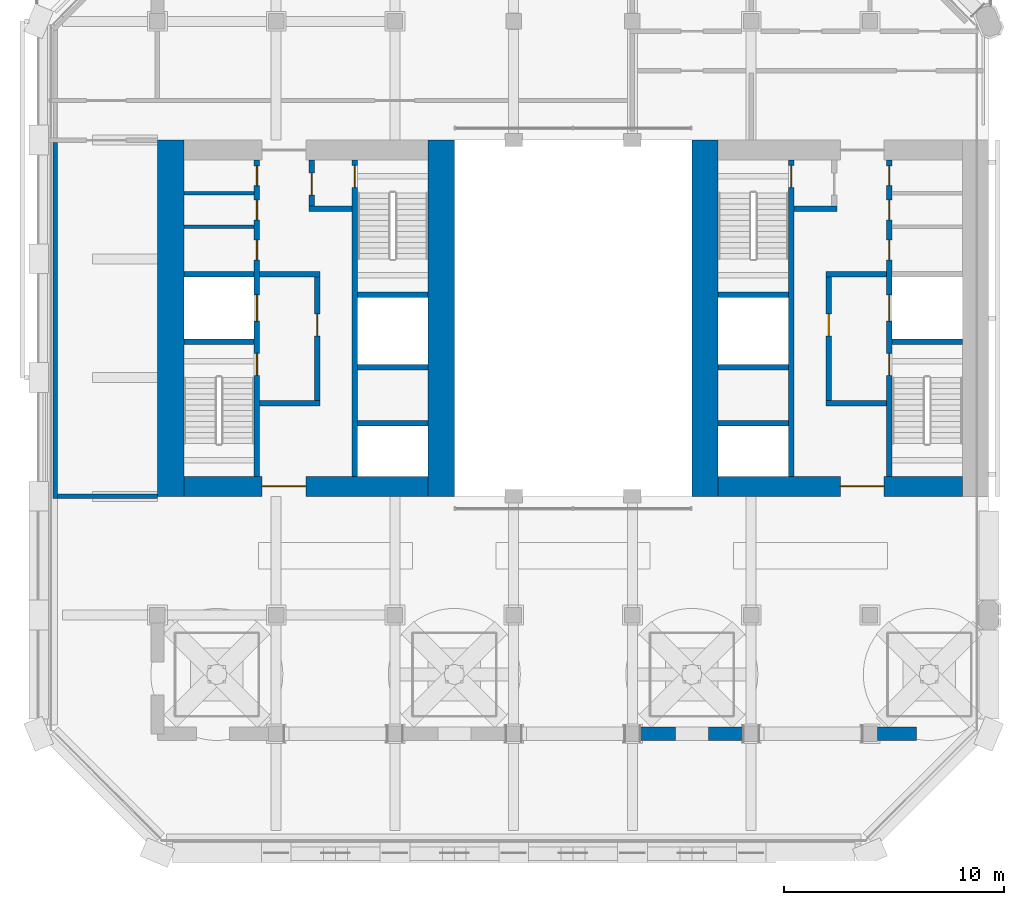
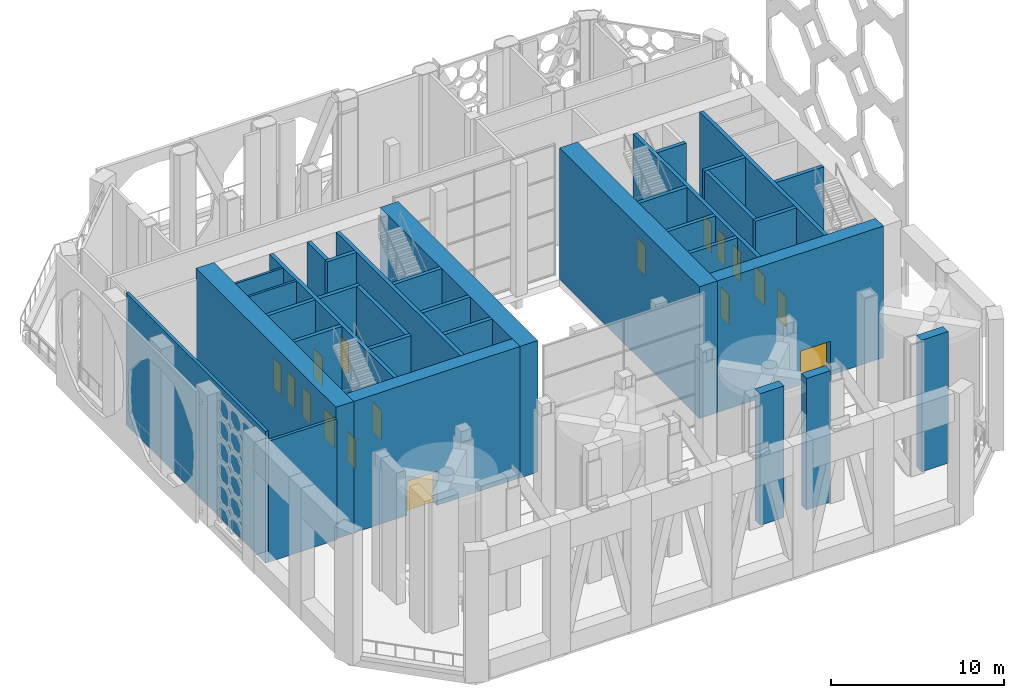
# One storey, part 10 of 28: 34 walls, 17 doors, 17 openings.
"""IFC4 building model written with IfcOpenShell, lengths in metres."""

from ifc_helpers import new_model, si_unit, direction, frame, frame_2d, origin, place, context, subcontext, project, spatial, rectangle, extrude, material, layer, layer_set, type_object, element, fill, save


model = new_model("IFC4")

# Units and contexts
model_context = context("Model", 3, precision=1e-05, world=origin(), true_north=direction((0.0, 1.0)))
body_context = subcontext(model_context, "Body", "Model", "MODEL_VIEW")
ifc_project = project(units=[si_unit("LENGTHUNIT", "METRE"), si_unit("AREAUNIT", "SQUARE_METRE"), si_unit("VOLUMEUNIT", "CUBIC_METRE"), si_unit("PLANEANGLEUNIT", "RADIAN"), si_unit("MASSUNIT", "GRAM", prefix="KILO")], contexts=[model_context])

# Site, building, storey
site_placement = place(None, origin())
site = spatial("IfcSite", under=ifc_project, at=site_placement, CompositionType="ELEMENT")
building_placement = place(site_placement, origin())
building = spatial("IfcBuilding", under=site, at=building_placement, Name="Tabaq Tower and Sports Hall", CompositionType="ELEMENT")
storey_placement = place(building_placement, frame((0.0, 0.0, 233.5)))
storey = spatial("IfcBuildingStorey", under=building, at=storey_placement, Name="L59", CompositionType="ELEMENT", Elevation=233.5)

# Walls
ifc_material_1 = material(Name="Blockwork", Category="masonry")
ifc_layer_1 = layer(ifc_material_1, 0.14990234375)
ifc_layer_set_1 = layer_set([ifc_layer_1], Name="Core room partition 150 Blockwork")
wall_type_1 = type_object("IfcWallType", Name="Core room partition 150 Blockwork", PredefinedType="PARTITIONING", material=ifc_layer_set_1)
for number, where, z_axis, x_axis, name in (
    (1, (6.60009765625, 28.455078125, 0.0), (0.0, 0.0, 1.0), (1.0, 0.0, 0.0), "Core room partition W L59"),
    (2, (6.60009765625, 29.97802734375, 0.0), (0.0, 0.0, 1.0), (1.0, 0.0, 0.0), "Core room partition W L59"),
):
    element("IfcWall", number, at=place(storey_placement, frame(where, z_axis=z_axis, x_axis=x_axis)), inside=storey, type_object=wall_type_1, Name=name, PredefinedType="PARTITIONING", context=body_context, shape_type="SweptSolid", body=[
        extrude(rectangle(XDim=3.199951171875, YDim=0.14990234375, at=frame_2d((1.60009765625, 0.0))), origin(), (0.0, 0.0, 1.0), 9.300048828125),
    ])
ifc_material_2 = material(Name="Concrete C40/50", Category="concrete")
ifc_layer_2 = layer(ifc_material_2, 1.199951171875)
ifc_layer_set_2 = layer_set([ifc_layer_2], Name="Core wall 1200 Concrete C40/50")
wall_type_2 = type_object("IfcWallType", Name="Core wall 1200 Concrete C40/50", PredefinedType="SOLIDWALL", material=ifc_layer_set_2)
for number, where, z_axis, x_axis, name in (
    (3, (6.0, 16.199951171875, 0.0), (0.0, 0.0, 1.0), (0.0, 1.0, 0.0), "Core wall W L59"),
    (4, (18.300048828125, 32.39990234375, 0.0), (0.0, 0.0, 1.0), (0.0, -1.0, 0.0), "Core wall W L59"),
    (5, (30.300048828125, 16.199951171875, 0.0), (0.0, 0.0, 1.0), (0.0, 1.0, 0.0), "Core wall E L59"),
):
    element("IfcWall", number, at=place(storey_placement, frame(where, z_axis=z_axis, x_axis=x_axis)), inside=storey, type_object=wall_type_2, Name=name, PredefinedType="SOLIDWALL", context=body_context, shape_type="SweptSolid", body=[
        extrude(rectangle(XDim=16.199951171875, YDim=1.199951171875, at=frame_2d((8.10009765625, 0.0))), origin(), (0.0, 0.0, 1.0), 9.300048828125),
    ])

# Wall, opening, door
ifc_material_3 = material(Name="Concrete C40/50", Category="concrete")
ifc_layer_3 = layer(ifc_material_3, 0.89990234375)
ifc_layer_set_3 = layer_set([ifc_layer_3], Name="Core wall 900 Concrete C40/50")
wall_type_3 = type_object("IfcWallType", Name="Core wall 900 Concrete C40/50", PredefinedType="SOLIDWALL", material=ifc_layer_set_3)
wall_1_placement = place(storey_placement, frame((17.699951171875, 16.64990234375, 0.0), z_axis=(0.0, 0.0, 1.0), x_axis=(-1.0, 0.0, 0.0)))
wall_1 = element("IfcWall", 6, at=wall_1_placement, inside=storey, type_object=wall_type_3, Name="Core wall W L59", PredefinedType="SOLIDWALL", context=body_context, shape_type="SweptSolid", body=[
    extrude(rectangle(XDim=11.099853515625, YDim=0.89990234375, at=frame_2d((5.5498046875, 0.0))), origin(), (0.0, 0.0, 1.0), 9.300048828125),
])
opening_1_placement = place(wall_1_placement, frame((5.550048828125, 0.0, 0.0)))
opening_1 = element("IfcOpeningElement", 7, at=opening_1_placement, cuts=wall_1, Name="Opening PD-WL59-01", PredefinedType="OPENING", context=body_context, shape_type="SweptSolid", body=[
    extrude(rectangle(XDim=2.0, YDim=2.39990234375, at=frame_2d((1.0, 1.199951171875))), frame((0.0, 0.449951171875, 0.0), z_axis=(0.0, -1.0, 0.0), x_axis=(1.0, 0.0, 0.0)), (0.0, 0.0, 1.0), 0.89990234375),
])
ifc_material_4 = material(Name="Steel fire door", Category="steel")
door_type_1 = type_object("IfcDoorType", Name="Core entrance door 2000", OperationType="DOUBLE_DOOR_SINGLE_SWING", PredefinedType="DOOR", material=ifc_material_4)
door_1_placement = place(opening_1_placement, origin())
door_1 = element("IfcDoor", 8, at=door_1_placement, inside=storey, type_object=door_type_1, Name="Core entrance south W L59", OperationType="DOUBLE_DOOR_SINGLE_SWING", OverallHeight=2.39990234375, OverallWidth=2.0, PredefinedType="DOOR", context=body_context, shape_type="SweptSolid", body=[
    extrude(rectangle(XDim=2.0, YDim=2.39990234375, at=frame_2d((1.0, 1.199951171875))), frame((0.0, 0.02490234375, 0.0), z_axis=(0.0, -1.0, 0.0), x_axis=(1.0, 0.0, 0.0)), (0.0, 0.0, 1.0), 0.050048828125),
])
fill(opening_1, door_1)

wall_2_placement = place(storey_placement, frame((42.0, 16.64990234375, 0.0), z_axis=(0.0, 0.0, 1.0), x_axis=(-1.0, 0.0, 0.0)))
wall_2 = element("IfcWall", 9, at=wall_2_placement, inside=storey, type_object=wall_type_3, Name="Core wall E L59", PredefinedType="SOLIDWALL", context=body_context, shape_type="SweptSolid", body=[
    extrude(rectangle(XDim=11.10009765625, YDim=0.89990234375, at=frame_2d((5.550048828125, 0.0))), origin(), (0.0, 0.0, 1.0), 9.300048828125),
])
opening_2_placement = place(wall_2_placement, frame((3.550048828125, 0.0, 0.0)))
opening_2 = element("IfcOpeningElement", 10, at=opening_2_placement, cuts=wall_2, Name="Opening PD-EL59-01", PredefinedType="OPENING", context=body_context, shape_type="SweptSolid", body=[
    extrude(rectangle(XDim=2.0, YDim=2.39990234375, at=frame_2d((1.0, 1.199951171875))), frame((0.0, 0.449951171875, 0.0), z_axis=(0.0, -1.0, 0.0), x_axis=(1.0, 0.0, 0.0)), (0.0, 0.0, 1.0), 0.89990234375),
])
door_2_placement = place(opening_2_placement, origin())
door_2 = element("IfcDoor", 11, at=door_2_placement, inside=storey, type_object=door_type_1, Name="Core entrance south E L59", OperationType="DOUBLE_DOOR_SINGLE_SWING", OverallHeight=2.39990234375, OverallWidth=2.0, PredefinedType="DOOR", context=body_context, shape_type="SweptSolid", body=[
    extrude(rectangle(XDim=2.0, YDim=2.39990234375, at=frame_2d((1.0, 1.199951171875))), frame((0.0, 0.02490234375, 0.0), z_axis=(0.0, -1.0, 0.0), x_axis=(1.0, 0.0, 0.0)), (0.0, 0.0, 1.0), 0.050048828125),
])
fill(opening_2, door_2)

# Walls
ifc_material_5 = material(Name="Blockwork", Category="masonry")
ifc_layer_4 = layer(ifc_material_5, 0.199951171875)
ifc_layer_set_4 = layer_set([ifc_layer_4], Name="Fire compartment wall 200 Blockwork")
wall_type_4 = type_object("IfcWallType", Name="Fire compartment wall 200 Blockwork", PredefinedType="PARTITIONING", material=ifc_layer_set_4)
wall_3_placement = place(storey_placement, frame((0.75, 32.300048828125, 0.0), z_axis=(0.0, 0.0, 1.0), x_axis=(0.0, -1.0, 0.0)))
element("IfcWall", 12, at=wall_3_placement, inside=storey, type_object=wall_type_4, Name="Compartment wall L59", PredefinedType="PARTITIONING", context=body_context, shape_type="SweptSolid", body=[
    extrude(rectangle(XDim=16.199951171875, YDim=0.199951171875, at=frame_2d((8.10009765625, 0.0))), origin(), (0.0, 0.0, 1.0), 9.300048828125),
])
wall_4_placement = place(storey_placement, frame((0.85009765625, 16.199951171875, 0.0), z_axis=(0.0, 0.0, 1.0), x_axis=(1.0, 0.0, 0.0)))
element("IfcWall", 13, at=wall_4_placement, inside=storey, type_object=wall_type_4, Name="Compartment wall L59", PredefinedType="PARTITIONING", context=body_context, shape_type="SweptSolid", body=[
    extrude(rectangle(XDim=4.5498046875, YDim=0.199951171875, at=frame_2d((2.27490234375, 0.0))), origin(), (0.0, 0.0, 1.0), 8.550048828125),
])
ifc_material_6 = material(Name="Concrete C40/50", Category="concrete")
ifc_layer_5 = layer(ifc_material_6, 0.60009765625)
ifc_layer_set_5 = layer_set([ifc_layer_5], Name="RC TRANSFER WALL 600 C40/50")
wall_type_5 = type_object("IfcWallType", Name="RC TRANSFER WALL 600 C40/50", PredefinedType="SHEAR", material=ifc_layer_set_5)
wall_5_placement = place(storey_placement, frame((27.35009765625, 5.39990234375, 0.0), z_axis=(0.0, 0.0, 1.0), x_axis=(1.0, 0.0, 0.0)))
element("IfcWall", 14, at=wall_5_placement, inside=storey, type_object=wall_type_5, Name="Transfer Wall L59 South 9", PredefinedType="SHEAR", context=body_context, shape_type="SweptSolid", body=[
    extrude(rectangle(XDim=1.599853515625, YDim=0.60009765625, at=frame_2d((0.7998046875, 0.0))), origin(), (0.0, 0.0, 1.0), 9.300048828125),
])
wall_6_placement = place(storey_placement, frame((30.449951171875, 5.39990234375, 0.0), z_axis=(0.0, 0.0, 1.0), x_axis=(1.0, 0.0, 0.0)))
element("IfcWall", 15, at=wall_6_placement, inside=storey, type_object=wall_type_5, Name="Transfer Wall L59 South 10", PredefinedType="SHEAR", context=body_context, shape_type="SweptSolid", body=[
    extrude(rectangle(XDim=1.60009765625, YDim=0.60009765625, at=frame_2d((0.800048828125, 0.0))), origin(), (0.0, 0.0, 1.0), 9.300048828125),
])
wall_7_placement = place(storey_placement, frame((38.14990234375, 5.39990234375, 0.0), z_axis=(0.0, 0.0, 1.0), x_axis=(1.0, 0.0, 0.0)))
element("IfcWall", 16, at=wall_7_placement, inside=storey, type_object=wall_type_5, Name="Transfer Wall L59 South 11", PredefinedType="SHEAR", context=body_context, shape_type="SweptSolid", body=[
    extrude(rectangle(XDim=1.775146484375, YDim=0.60009765625, at=frame_2d((0.8876953125, 0.0))), origin(), (0.0, 0.0, 1.0), 9.300048828125),
])

# Wall, openings, doors
ifc_material_7 = material(Name="Concrete C40/50", Category="concrete")
ifc_layer_6 = layer(ifc_material_7, 0.25)
ifc_layer_set_6 = layer_set([ifc_layer_6], Name="Shaft and stair wall 250 Concrete C40/50")
wall_type_6 = type_object("IfcWallType", Name="Shaft and stair wall 250 Concrete C40/50", PredefinedType="SOLIDWALL", material=ifc_layer_set_6)
wall_8_placement = place(storey_placement, frame((9.925048828125, 17.10009765625, 0.0), z_axis=(0.0, 0.0, 1.0), x_axis=(0.0, 1.0, 0.0)))
wall_8 = element("IfcWall", 17, at=wall_8_placement, inside=storey, type_object=wall_type_6, Name="Shaft wall W L59", PredefinedType="SOLIDWALL", context=body_context, shape_type="SweptSolid", body=[
    extrude(rectangle(XDim=14.39990234375, YDim=0.25, at=frame_2d((7.199951171875, 0.0))), origin(), (0.0, 0.0, 1.0), 9.300048828125),
])
opening_3_placement = place(wall_8_placement, frame((4.60009765625, 0.0, 0.0)))
opening_3 = element("IfcOpeningElement", 18, at=opening_3_placement, cuts=wall_8, Name="Opening SD-WL59-03", PredefinedType="OPENING", context=body_context, shape_type="SweptSolid", body=[
    extrude(rectangle(XDim=1.0, YDim=2.10009765625, at=frame_2d((0.5, 1.050048828125))), frame((0.0, 0.125, 0.0), z_axis=(0.0, -1.0, 0.0), x_axis=(1.0, 0.0, 0.0)), (0.0, 0.0, 1.0), 0.25),
])
opening_4_placement = place(wall_8_placement, frame((7.0625, 0.0, 0.0)))
opening_4 = element("IfcOpeningElement", 19, at=opening_4_placement, cuts=wall_8, Name="Opening LD-FF1-L59", PredefinedType="OPENING", context=body_context, shape_type="SweptSolid", body=[
    extrude(rectangle(XDim=1.199951171875, YDim=2.10009765625, at=frame_2d((0.60009765625, 1.050048828125))), frame((0.0, 0.125, 0.0), z_axis=(0.0, -1.0, 0.0), x_axis=(1.0, 0.0, 0.0)), (0.0, 0.0, 1.0), 0.25),
])
opening_5_placement = place(wall_8_placement, frame((9.8525390625, 0.0, 0.0)))
opening_5 = element("IfcOpeningElement", 20, at=opening_5_placement, cuts=wall_8, Name="Opening RD-WL59-08", PredefinedType="OPENING", context=body_context, shape_type="SweptSolid", body=[
    extrude(rectangle(XDim=0.89990234375, YDim=2.10009765625, at=frame_2d((0.449951171875, 1.050048828125))), frame((0.0, 0.125, 0.0), z_axis=(0.0, -1.0, 0.0), x_axis=(1.0, 0.0, 0.0)), (0.0, 0.0, 1.0), 0.25),
])
opening_6_placement = place(wall_8_placement, frame((11.66650390625, 0.0, 0.0)))
opening_6 = element("IfcOpeningElement", 21, at=opening_6_placement, cuts=wall_8, Name="Opening RD-WL59-09", PredefinedType="OPENING", context=body_context, shape_type="SweptSolid", body=[
    extrude(rectangle(XDim=0.89990234375, YDim=2.10009765625, at=frame_2d((0.449951171875, 1.050048828125))), frame((0.0, 0.125, 0.0), z_axis=(0.0, -1.0, 0.0), x_axis=(1.0, 0.0, 0.0)), (0.0, 0.0, 1.0), 0.25),
])
opening_7_placement = place(wall_8_placement, frame((13.2265625, 0.0, 0.0)))
opening_7 = element("IfcOpeningElement", 22, at=opening_7_placement, cuts=wall_8, Name="Opening RD-WL59-10", PredefinedType="OPENING", context=body_context, shape_type="SweptSolid", body=[
    extrude(rectangle(XDim=0.89990234375, YDim=2.10009765625, at=frame_2d((0.449951171875, 1.050048828125))), frame((0.0, 0.125, 0.0), z_axis=(0.0, -1.0, 0.0), x_axis=(1.0, 0.0, 0.0)), (0.0, 0.0, 1.0), 0.25),
])
ifc_material_8 = material(Name="Steel fire door", Category="steel")
door_type_2 = type_object("IfcDoorType", Name="Core room door 900", OperationType="SINGLE_SWING_LEFT", PredefinedType="DOOR", material=ifc_material_8)
door_3_placement = place(opening_5_placement, origin())
door_3 = element("IfcDoor", 23, at=door_3_placement, inside=storey, type_object=door_type_2, Name="Door Refuge Floor Plant Room W L59", OperationType="SINGLE_SWING_LEFT", OverallHeight=2.10009765625, OverallWidth=0.89990234375, PredefinedType="DOOR", context=body_context, shape_type="SweptSolid", body=[
    extrude(rectangle(XDim=0.89990234375, YDim=2.10009765625, at=frame_2d((0.449951171875, 1.050048828125))), frame((0.0, 0.02490234375, 0.0), z_axis=(0.0, -1.0, 0.0), x_axis=(1.0, 0.0, 0.0)), (0.0, 0.0, 1.0), 0.050048828125),
])
fill(opening_5, door_3)
door_4_placement = place(opening_6_placement, origin())
door_4 = element("IfcDoor", 24, at=door_4_placement, inside=storey, type_object=door_type_2, Name="Door Electrical Room W L59", OperationType="SINGLE_SWING_LEFT", OverallHeight=2.10009765625, OverallWidth=0.89990234375, PredefinedType="DOOR", context=body_context, shape_type="SweptSolid", body=[
    extrude(rectangle(XDim=0.89990234375, YDim=2.10009765625, at=frame_2d((0.449951171875, 1.050048828125))), frame((0.0, 0.02490234375, 0.0), z_axis=(0.0, -1.0, 0.0), x_axis=(1.0, 0.0, 0.0)), (0.0, 0.0, 1.0), 0.050048828125),
])
fill(opening_6, door_4)
door_5_placement = place(opening_7_placement, origin())
door_5 = element("IfcDoor", 25, at=door_5_placement, inside=storey, type_object=door_type_2, Name="Door Smoke Extract Riser Room W L59", OperationType="SINGLE_SWING_LEFT", OverallHeight=2.10009765625, OverallWidth=0.89990234375, PredefinedType="DOOR", context=body_context, shape_type="SweptSolid", body=[
    extrude(rectangle(XDim=0.89990234375, YDim=2.10009765625, at=frame_2d((0.449951171875, 1.050048828125))), frame((0.0, 0.02490234375, 0.0), z_axis=(0.0, -1.0, 0.0), x_axis=(1.0, 0.0, 0.0)), (0.0, 0.0, 1.0), 0.050048828125),
])
fill(opening_7, door_5)
ifc_material_9 = material(Name="Stainless steel", Category="steel")
door_type_3 = type_object("IfcDoorType", Name="Lift landing door 1200", OperationType="DOUBLE_DOOR_SLIDING", PredefinedType="DOOR", material=ifc_material_9)
door_6_placement = place(opening_4_placement, origin())
door_6 = element("IfcDoor", 26, at=door_6_placement, inside=storey, type_object=door_type_3, Name="Lift landing door FF1 W L59", OperationType="DOUBLE_DOOR_SLIDING", OverallHeight=2.10009765625, OverallWidth=1.199951171875, PredefinedType="DOOR", context=body_context, shape_type="SweptSolid", body=[
    extrude(rectangle(XDim=1.199951171875, YDim=2.10009765625, at=frame_2d((0.60009765625, 1.050048828125))), frame((0.0, 0.02490234375, 0.0), z_axis=(0.0, -1.0, 0.0), x_axis=(1.0, 0.0, 0.0)), (0.0, 0.0, 1.0), 0.050048828125),
])
fill(opening_4, door_6)
ifc_material_10 = material(Name="Steel fire door", Category="steel")
door_type_4 = type_object("IfcDoorType", Name="Stair door 1000", OperationType="SINGLE_SWING_LEFT", PredefinedType="DOOR", material=ifc_material_10)
door_7_placement = place(opening_3_placement, origin())
door_7 = element("IfcDoor", 27, at=door_7_placement, inside=storey, type_object=door_type_4, Name="Stair door ST1 W L59", OperationType="SINGLE_SWING_LEFT", OverallHeight=2.10009765625, OverallWidth=1.0, PredefinedType="DOOR", context=body_context, shape_type="SweptSolid", body=[
    extrude(rectangle(XDim=1.0, YDim=2.10009765625, at=frame_2d((0.5, 1.050048828125))), frame((0.0, 0.02490234375, 0.0), z_axis=(0.0, -1.0, 0.0), x_axis=(1.0, 0.0, 0.0)), (0.0, 0.0, 1.0), 0.050048828125),
])
fill(opening_3, door_7)

# Wall, opening, door
wall_9_placement = place(storey_placement, frame((14.375, 17.10009765625, 0.0), z_axis=(0.0, 0.0, 1.0), x_axis=(0.0, 1.0, 0.0)))
wall_9 = element("IfcWall", 28, at=wall_9_placement, inside=storey, type_object=wall_type_6, Name="Shaft wall W L59", PredefinedType="SOLIDWALL", context=body_context, shape_type="SweptSolid", body=[
    extrude(rectangle(XDim=14.39990234375, YDim=0.25, at=frame_2d((7.199951171875, 0.0))), origin(), (0.0, 0.0, 1.0), 9.300048828125),
])
opening_8_placement = place(wall_9_placement, frame((13.14990234375, 0.0, 0.0)))
opening_8 = element("IfcOpeningElement", 29, at=opening_8_placement, cuts=wall_9, Name="Opening SD-WL59-05", PredefinedType="OPENING", context=body_context, shape_type="SweptSolid", body=[
    extrude(rectangle(XDim=1.0, YDim=2.10009765625, at=frame_2d((0.5, 1.050048828125))), frame((0.0, 0.125, 0.0), z_axis=(0.0, -1.0, 0.0), x_axis=(1.0, 0.0, 0.0)), (0.0, 0.0, 1.0), 0.25),
])
door_8_placement = place(opening_8_placement, origin())
door_8 = element("IfcDoor", 30, at=door_8_placement, inside=storey, type_object=door_type_4, Name="Stair door ST2 W L59", OperationType="SINGLE_SWING_LEFT", OverallHeight=2.10009765625, OverallWidth=1.0, PredefinedType="DOOR", context=body_context, shape_type="SweptSolid", body=[
    extrude(rectangle(XDim=1.0, YDim=2.10009765625, at=frame_2d((0.5, 1.050048828125))), frame((0.0, 0.02490234375, 0.0), z_axis=(0.0, -1.0, 0.0), x_axis=(1.0, 0.0, 0.0)), (0.0, 0.0, 1.0), 0.050048828125),
])
fill(opening_8, door_8)

# Walls
for number, where, z_axis, x_axis, name in (
    (31, (6.60009765625, 23.22509765625, 0.0), (0.0, 0.0, 1.0), (1.0, 0.0, 0.0), "Stair enclosure wall W L59"),
    (32, (14.5, 25.375, 0.0), (0.0, 0.0, 1.0), (1.0, 0.0, 0.0), "Stair enclosure wall W L59"),
    (33, (14.5, 22.074951171875, 0.0), (0.0, 0.0, 1.0), (1.0, 0.0, 0.0), "Shaft wall W L59"),
    (34, (6.60009765625, 26.300048828125, 0.0), (0.0, 0.0, 1.0), (1.0, 0.0, 0.0), "Shaft wall W L59"),
):
    element("IfcWall", number, at=place(storey_placement, frame(where, z_axis=z_axis, x_axis=x_axis)), inside=storey, type_object=wall_type_6, Name=name, PredefinedType="SOLIDWALL", context=body_context, shape_type="SweptSolid", body=[
        extrude(rectangle(XDim=3.199951171875, YDim=0.25, at=frame_2d((1.60009765625, 0.0))), origin(), (0.0, 0.0, 1.0), 9.300048828125),
    ])
for number, where, z_axis, x_axis, name in (
    (35, (10.050048828125, 26.300048828125, 0.0), (0.0, 0.0, 1.0), (1.0, 0.0, 0.0), "Fire-fighting lobby wall W L59"),
    (36, (10.050048828125, 20.425048828125, 0.0), (0.0, 0.0, 1.0), (1.0, 0.0, 0.0), "Fire-fighting lobby wall W L59"),
):
    element("IfcWall", number, at=place(storey_placement, frame(where, z_axis=z_axis, x_axis=x_axis)), inside=storey, type_object=wall_type_6, Name=name, PredefinedType="SOLIDWALL", context=body_context, shape_type="SweptSolid", body=[
        extrude(rectangle(XDim=2.75, YDim=0.25, at=frame_2d((1.375, 0.0))), origin(), (0.0, 0.0, 1.0), 9.300048828125),
    ])

# Wall, opening, door
wall_10_placement = place(storey_placement, frame((12.425048828125, 29.39990234375, 0.0), z_axis=(0.0, 0.0, 1.0), x_axis=(0.0, 1.0, 0.0)))
wall_10 = element("IfcWall", 37, at=wall_10_placement, inside=storey, type_object=wall_type_6, Name="Fire-fighting lobby wall W L59", PredefinedType="SOLIDWALL", context=body_context, shape_type="SweptSolid", body=[
    extrude(rectangle(XDim=2.10009765625, YDim=0.25, at=frame_2d((1.050048828125, 0.0))), origin(), (0.0, 0.0, 1.0), 9.300048828125),
])
opening_9_placement = place(wall_10_placement, frame((0.5, 0.0, 0.0)))
opening_9 = element("IfcOpeningElement", 38, at=opening_9_placement, cuts=wall_10, Name="Opening FD-WL59-06", PredefinedType="OPENING", context=body_context, shape_type="SweptSolid", body=[
    extrude(rectangle(XDim=1.0, YDim=2.10009765625, at=frame_2d((0.5, 1.050048828125))), frame((0.0, 0.125, 0.0), z_axis=(0.0, -1.0, 0.0), x_axis=(1.0, 0.0, 0.0)), (0.0, 0.0, 1.0), 0.25),
])
ifc_material_11 = material(Name="Steel fire door", Category="steel")
door_type_5 = type_object("IfcDoorType", Name="Fire-fighting lobby door 1000", OperationType="SINGLE_SWING_LEFT", PredefinedType="DOOR", material=ifc_material_11)
door_9_placement = place(opening_9_placement, origin())
door_9 = element("IfcDoor", 39, at=door_9_placement, inside=storey, type_object=door_type_5, Name="Stair lobby door W L59", OperationType="SINGLE_SWING_LEFT", OverallHeight=2.10009765625, OverallWidth=1.0, PredefinedType="DOOR", context=body_context, shape_type="SweptSolid", body=[
    extrude(rectangle(XDim=1.0, YDim=2.10009765625, at=frame_2d((0.5, 1.050048828125))), frame((0.0, 0.02490234375, 0.0), z_axis=(0.0, -1.0, 0.0), x_axis=(1.0, 0.0, 0.0)), (0.0, 0.0, 1.0), 0.050048828125),
])
fill(opening_9, door_9)

# Wall
wall_11_placement = place(storey_placement, frame((12.300048828125, 29.27490234375, 0.0), z_axis=(0.0, 0.0, 1.0), x_axis=(1.0, 0.0, 0.0)))
element("IfcWall", 40, at=wall_11_placement, inside=storey, type_object=wall_type_6, Name="Fire-fighting lobby wall W L59", PredefinedType="SOLIDWALL", context=body_context, shape_type="SweptSolid", body=[
    extrude(rectangle(XDim=1.949951171875, YDim=0.25, at=frame_2d((0.97509765625, 0.0))), origin(), (0.0, 0.0, 1.0), 9.300048828125),
])

# Wall, opening, door
wall_12_placement = place(storey_placement, frame((12.675048828125, 20.550048828125, 0.0), z_axis=(0.0, 0.0, 1.0), x_axis=(0.0, 1.0, 0.0)))
wall_12 = element("IfcWall", 41, at=wall_12_placement, inside=storey, type_object=wall_type_6, Name="Fire-fighting lobby wall W L59", PredefinedType="SOLIDWALL", context=body_context, shape_type="SweptSolid", body=[
    extrude(rectangle(XDim=5.625, YDim=0.25, at=frame_2d((2.8125, 0.0))), origin(), (0.0, 0.0, 1.0), 9.300048828125),
])
opening_10_placement = place(wall_12_placement, frame((2.949951171875, 0.0, 0.0)))
opening_10 = element("IfcOpeningElement", 42, at=opening_10_placement, cuts=wall_12, Name="Opening FD-WL59-04", PredefinedType="OPENING", context=body_context, shape_type="SweptSolid", body=[
    extrude(rectangle(XDim=1.0, YDim=2.10009765625, at=frame_2d((0.5, 1.050048828125))), frame((0.0, 0.125, 0.0), z_axis=(0.0, -1.0, 0.0), x_axis=(1.0, 0.0, 0.0)), (0.0, 0.0, 1.0), 0.25),
])
door_10_placement = place(opening_10_placement, origin())
door_10 = element("IfcDoor", 43, at=door_10_placement, inside=storey, type_object=door_type_5, Name="Fire-fighting lobby door W L59", OperationType="SINGLE_SWING_LEFT", OverallHeight=2.10009765625, OverallWidth=1.0, PredefinedType="DOOR", context=body_context, shape_type="SweptSolid", body=[
    extrude(rectangle(XDim=1.0, YDim=2.10009765625, at=frame_2d((0.5, 1.050048828125))), frame((0.0, 0.02490234375, 0.0), z_axis=(0.0, -1.0, 0.0), x_axis=(1.0, 0.0, 0.0)), (0.0, 0.0, 1.0), 0.050048828125),
])
fill(opening_10, door_10)

# Wall
wall_13_placement = place(storey_placement, frame((14.5, 19.52490234375, 0.0), z_axis=(0.0, 0.0, 1.0), x_axis=(1.0, 0.0, 0.0)))
element("IfcWall", 44, at=wall_13_placement, inside=storey, type_object=wall_type_6, Name="Shaft wall W L59", PredefinedType="SOLIDWALL", context=body_context, shape_type="SweptSolid", body=[
    extrude(rectangle(XDim=3.199951171875, YDim=0.25, at=frame_2d((1.60009765625, 0.0))), origin(), (0.0, 0.0, 1.0), 9.300048828125),
])

# Wall, openings, doors
wall_14_placement = place(storey_placement, frame((38.675048828125, 17.10009765625, 0.0), z_axis=(0.0, 0.0, 1.0), x_axis=(0.0, 1.0, 0.0)))
wall_14 = element("IfcWall", 45, at=wall_14_placement, inside=storey, type_object=wall_type_6, Name="Shaft wall E L59", PredefinedType="SOLIDWALL", context=body_context, shape_type="SweptSolid", body=[
    extrude(rectangle(XDim=14.39990234375, YDim=0.25, at=frame_2d((7.199951171875, 0.0))), origin(), (0.0, 0.0, 1.0), 9.300048828125),
])
opening_11_placement = place(wall_14_placement, frame((4.60009765625, 0.0, 0.0)))
opening_11 = element("IfcOpeningElement", 46, at=opening_11_placement, cuts=wall_14, Name="Opening SD-EL59-03", PredefinedType="OPENING", context=body_context, shape_type="SweptSolid", body=[
    extrude(rectangle(XDim=1.0, YDim=2.10009765625, at=frame_2d((0.5, 1.050048828125))), frame((0.0, 0.125, 0.0), z_axis=(0.0, -1.0, 0.0), x_axis=(1.0, 0.0, 0.0)), (0.0, 0.0, 1.0), 0.25),
])
opening_12_placement = place(wall_14_placement, frame((7.0625, 0.0, 0.0)))
opening_12 = element("IfcOpeningElement", 47, at=opening_12_placement, cuts=wall_14, Name="Opening LD-FF2-L59", PredefinedType="OPENING", context=body_context, shape_type="SweptSolid", body=[
    extrude(rectangle(XDim=1.199951171875, YDim=2.10009765625, at=frame_2d((0.60009765625, 1.050048828125))), frame((0.0, 0.125, 0.0), z_axis=(0.0, -1.0, 0.0), x_axis=(1.0, 0.0, 0.0)), (0.0, 0.0, 1.0), 0.25),
])
opening_13_placement = place(wall_14_placement, frame((9.8525390625, 0.0, 0.0)))
opening_13 = element("IfcOpeningElement", 48, at=opening_13_placement, cuts=wall_14, Name="Opening RD-EL59-08", PredefinedType="OPENING", context=body_context, shape_type="SweptSolid", body=[
    extrude(rectangle(XDim=0.89990234375, YDim=2.10009765625, at=frame_2d((0.449951171875, 1.050048828125))), frame((0.0, 0.125, 0.0), z_axis=(0.0, -1.0, 0.0), x_axis=(1.0, 0.0, 0.0)), (0.0, 0.0, 1.0), 0.25),
])
opening_14_placement = place(wall_14_placement, frame((11.66650390625, 0.0, 0.0)))
opening_14 = element("IfcOpeningElement", 49, at=opening_14_placement, cuts=wall_14, Name="Opening RD-EL59-09", PredefinedType="OPENING", context=body_context, shape_type="SweptSolid", body=[
    extrude(rectangle(XDim=0.89990234375, YDim=2.10009765625, at=frame_2d((0.449951171875, 1.050048828125))), frame((0.0, 0.125, 0.0), z_axis=(0.0, -1.0, 0.0), x_axis=(1.0, 0.0, 0.0)), (0.0, 0.0, 1.0), 0.25),
])
opening_15_placement = place(wall_14_placement, frame((13.2265625, 0.0, 0.0)))
opening_15 = element("IfcOpeningElement", 50, at=opening_15_placement, cuts=wall_14, Name="Opening RD-EL59-10", PredefinedType="OPENING", context=body_context, shape_type="SweptSolid", body=[
    extrude(rectangle(XDim=0.89990234375, YDim=2.10009765625, at=frame_2d((0.449951171875, 1.050048828125))), frame((0.0, 0.125, 0.0), z_axis=(0.0, -1.0, 0.0), x_axis=(1.0, 0.0, 0.0)), (0.0, 0.0, 1.0), 0.25),
])
door_11_placement = place(opening_13_placement, origin())
door_11 = element("IfcDoor", 51, at=door_11_placement, inside=storey, type_object=door_type_2, Name="Door Refuge Floor Plant Room E L59", OperationType="SINGLE_SWING_LEFT", OverallHeight=2.10009765625, OverallWidth=0.89990234375, PredefinedType="DOOR", context=body_context, shape_type="SweptSolid", body=[
    extrude(rectangle(XDim=0.89990234375, YDim=2.10009765625, at=frame_2d((0.449951171875, 1.050048828125))), frame((0.0, 0.02490234375, 0.0), z_axis=(0.0, -1.0, 0.0), x_axis=(1.0, 0.0, 0.0)), (0.0, 0.0, 1.0), 0.050048828125),
])
fill(opening_13, door_11)
door_12_placement = place(opening_14_placement, origin())
door_12 = element("IfcDoor", 52, at=door_12_placement, inside=storey, type_object=door_type_2, Name="Door Electrical Room E L59", OperationType="SINGLE_SWING_LEFT", OverallHeight=2.10009765625, OverallWidth=0.89990234375, PredefinedType="DOOR", context=body_context, shape_type="SweptSolid", body=[
    extrude(rectangle(XDim=0.89990234375, YDim=2.10009765625, at=frame_2d((0.449951171875, 1.050048828125))), frame((0.0, 0.02490234375, 0.0), z_axis=(0.0, -1.0, 0.0), x_axis=(1.0, 0.0, 0.0)), (0.0, 0.0, 1.0), 0.050048828125),
])
fill(opening_14, door_12)
door_13_placement = place(opening_15_placement, origin())
door_13 = element("IfcDoor", 53, at=door_13_placement, inside=storey, type_object=door_type_2, Name="Door Smoke Extract Riser Room E L59", OperationType="SINGLE_SWING_LEFT", OverallHeight=2.10009765625, OverallWidth=0.89990234375, PredefinedType="DOOR", context=body_context, shape_type="SweptSolid", body=[
    extrude(rectangle(XDim=0.89990234375, YDim=2.10009765625, at=frame_2d((0.449951171875, 1.050048828125))), frame((0.0, 0.02490234375, 0.0), z_axis=(0.0, -1.0, 0.0), x_axis=(1.0, 0.0, 0.0)), (0.0, 0.0, 1.0), 0.050048828125),
])
fill(opening_15, door_13)
door_14_placement = place(opening_12_placement, origin())
door_14 = element("IfcDoor", 54, at=door_14_placement, inside=storey, type_object=door_type_3, Name="Lift landing door FF2 E L59", OperationType="DOUBLE_DOOR_SLIDING", OverallHeight=2.10009765625, OverallWidth=1.199951171875, PredefinedType="DOOR", context=body_context, shape_type="SweptSolid", body=[
    extrude(rectangle(XDim=1.199951171875, YDim=2.10009765625, at=frame_2d((0.60009765625, 1.050048828125))), frame((0.0, 0.02490234375, 0.0), z_axis=(0.0, -1.0, 0.0), x_axis=(1.0, 0.0, 0.0)), (0.0, 0.0, 1.0), 0.050048828125),
])
fill(opening_12, door_14)
door_15_placement = place(opening_11_placement, origin())
door_15 = element("IfcDoor", 55, at=door_15_placement, inside=storey, type_object=door_type_4, Name="Stair door ST3 E L59", OperationType="SINGLE_SWING_LEFT", OverallHeight=2.10009765625, OverallWidth=1.0, PredefinedType="DOOR", context=body_context, shape_type="SweptSolid", body=[
    extrude(rectangle(XDim=1.0, YDim=2.10009765625, at=frame_2d((0.5, 1.050048828125))), frame((0.0, 0.02490234375, 0.0), z_axis=(0.0, -1.0, 0.0), x_axis=(1.0, 0.0, 0.0)), (0.0, 0.0, 1.0), 0.050048828125),
])
fill(opening_11, door_15)

# Wall, opening, door
wall_15_placement = place(storey_placement, frame((34.22509765625, 17.10009765625, 0.0), z_axis=(0.0, 0.0, 1.0), x_axis=(0.0, 1.0, 0.0)))
wall_15 = element("IfcWall", 56, at=wall_15_placement, inside=storey, type_object=wall_type_6, Name="Shaft wall E L59", PredefinedType="SOLIDWALL", context=body_context, shape_type="SweptSolid", body=[
    extrude(rectangle(XDim=14.39990234375, YDim=0.25, at=frame_2d((7.199951171875, 0.0))), origin(), (0.0, 0.0, 1.0), 9.300048828125),
])
opening_16_placement = place(wall_15_placement, frame((13.14990234375, 0.0, 0.0)))
opening_16 = element("IfcOpeningElement", 57, at=opening_16_placement, cuts=wall_15, Name="Opening SD-EL59-05", PredefinedType="OPENING", context=body_context, shape_type="SweptSolid", body=[
    extrude(rectangle(XDim=1.0, YDim=2.10009765625, at=frame_2d((0.5, 1.050048828125))), frame((0.0, 0.125, 0.0), z_axis=(0.0, -1.0, 0.0), x_axis=(1.0, 0.0, 0.0)), (0.0, 0.0, 1.0), 0.25),
])
door_16_placement = place(opening_16_placement, origin())
door_16 = element("IfcDoor", 58, at=door_16_placement, inside=storey, type_object=door_type_4, Name="Stair door ST4 E L59", OperationType="SINGLE_SWING_LEFT", OverallHeight=2.10009765625, OverallWidth=1.0, PredefinedType="DOOR", context=body_context, shape_type="SweptSolid", body=[
    extrude(rectangle(XDim=1.0, YDim=2.10009765625, at=frame_2d((0.5, 1.050048828125))), frame((0.0, 0.02490234375, 0.0), z_axis=(0.0, -1.0, 0.0), x_axis=(1.0, 0.0, 0.0)), (0.0, 0.0, 1.0), 0.050048828125),
])
fill(opening_16, door_16)

# Walls
wall_16_placement = place(storey_placement, frame((38.800048828125, 23.22509765625, 0.0), z_axis=(0.0, 0.0, 1.0), x_axis=(1.0, 0.0, 0.0)))
element("IfcWall", 59, at=wall_16_placement, inside=storey, type_object=wall_type_6, Name="Stair enclosure wall E L59", PredefinedType="SOLIDWALL", context=body_context, shape_type="SweptSolid", body=[
    extrude(rectangle(XDim=3.199951171875, YDim=0.25, at=frame_2d((1.60009765625, 0.0))), origin(), (0.0, 0.0, 1.0), 9.300048828125),
])
for number, where, z_axis, x_axis, name in (
    (60, (30.89990234375, 25.375, 0.0), (0.0, 0.0, 1.0), (1.0, 0.0, 0.0), "Stair enclosure wall E L59"),
    (61, (30.89990234375, 22.074951171875, 0.0), (0.0, 0.0, 1.0), (1.0, 0.0, 0.0), "Shaft wall E L59"),
):
    element("IfcWall", number, at=place(storey_placement, frame(where, z_axis=z_axis, x_axis=x_axis)), inside=storey, type_object=wall_type_6, Name=name, PredefinedType="SOLIDWALL", context=body_context, shape_type="SweptSolid", body=[
        extrude(rectangle(XDim=3.2001953125, YDim=0.25, at=frame_2d((1.60009765625, 0.0))), origin(), (0.0, 0.0, 1.0), 9.300048828125),
    ])
for number, where, z_axis, x_axis, name in (
    (62, (35.800048828125, 26.300048828125, 0.0), (0.0, 0.0, 1.0), (1.0, 0.0, 0.0), "Fire-fighting lobby wall E L59"),
    (63, (35.800048828125, 20.425048828125, 0.0), (0.0, 0.0, 1.0), (1.0, 0.0, 0.0), "Fire-fighting lobby wall E L59"),
):
    element("IfcWall", number, at=place(storey_placement, frame(where, z_axis=z_axis, x_axis=x_axis)), inside=storey, type_object=wall_type_6, Name=name, PredefinedType="SOLIDWALL", context=body_context, shape_type="SweptSolid", body=[
        extrude(rectangle(XDim=2.75, YDim=0.25, at=frame_2d((1.375, 0.0))), origin(), (0.0, 0.0, 1.0), 9.300048828125),
    ])
wall_17_placement = place(storey_placement, frame((34.35009765625, 29.27490234375, 0.0), z_axis=(0.0, 0.0, 1.0), x_axis=(1.0, 0.0, 0.0)))
element("IfcWall", 64, at=wall_17_placement, inside=storey, type_object=wall_type_6, Name="Fire-fighting lobby wall E L59", PredefinedType="SOLIDWALL", context=body_context, shape_type="SweptSolid", body=[
    extrude(rectangle(XDim=1.949951171875, YDim=0.25, at=frame_2d((0.97509765625, 0.0))), origin(), (0.0, 0.0, 1.0), 9.300048828125),
])

# Wall, opening, door
wall_18_placement = place(storey_placement, frame((35.925048828125, 20.550048828125, 0.0), z_axis=(0.0, 0.0, 1.0), x_axis=(0.0, 1.0, 0.0)))
wall_18 = element("IfcWall", 65, at=wall_18_placement, inside=storey, type_object=wall_type_6, Name="Fire-fighting lobby wall E L59", PredefinedType="SOLIDWALL", context=body_context, shape_type="SweptSolid", body=[
    extrude(rectangle(XDim=5.625, YDim=0.25, at=frame_2d((2.8125, 0.0))), origin(), (0.0, 0.0, 1.0), 9.300048828125),
])
opening_17_placement = place(wall_18_placement, frame((2.949951171875, 0.0, 0.0)))
opening_17 = element("IfcOpeningElement", 66, at=opening_17_placement, cuts=wall_18, Name="Opening FD-EL59-04", PredefinedType="OPENING", context=body_context, shape_type="SweptSolid", body=[
    extrude(rectangle(XDim=1.0, YDim=2.10009765625, at=frame_2d((0.5, 1.050048828125))), frame((0.0, 0.125, 0.0), z_axis=(0.0, -1.0, 0.0), x_axis=(1.0, 0.0, 0.0)), (0.0, 0.0, 1.0), 0.25),
])
door_17_placement = place(opening_17_placement, origin())
door_17 = element("IfcDoor", 67, at=door_17_placement, inside=storey, type_object=door_type_5, Name="Fire-fighting lobby door E L59", OperationType="SINGLE_SWING_LEFT", OverallHeight=2.10009765625, OverallWidth=1.0, PredefinedType="DOOR", context=body_context, shape_type="SweptSolid", body=[
    extrude(rectangle(XDim=1.0, YDim=2.10009765625, at=frame_2d((0.5, 1.050048828125))), frame((0.0, 0.02490234375, 0.0), z_axis=(0.0, -1.0, 0.0), x_axis=(1.0, 0.0, 0.0)), (0.0, 0.0, 1.0), 0.050048828125),
])
fill(opening_17, door_17)

# Wall
wall_19_placement = place(storey_placement, frame((30.89990234375, 19.52490234375, 0.0), z_axis=(0.0, 0.0, 1.0), x_axis=(1.0, 0.0, 0.0)))
element("IfcWall", 68, at=wall_19_placement, inside=storey, type_object=wall_type_6, Name="Shaft wall E L59", PredefinedType="SOLIDWALL", context=body_context, shape_type="SweptSolid", body=[
    extrude(rectangle(XDim=3.2001953125, YDim=0.25, at=frame_2d((1.60009765625, 0.0))), origin(), (0.0, 0.0, 1.0), 9.300048828125),
])

save(model, "model.ifc")
